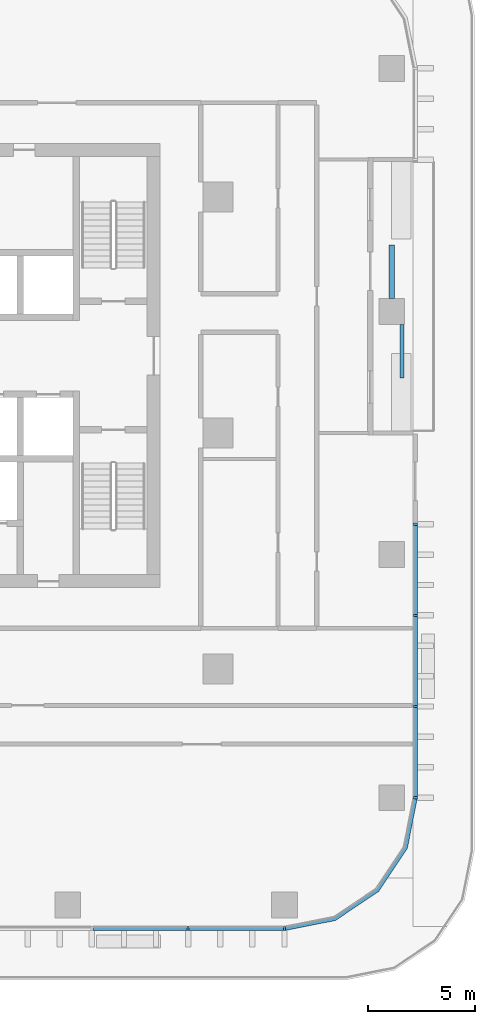
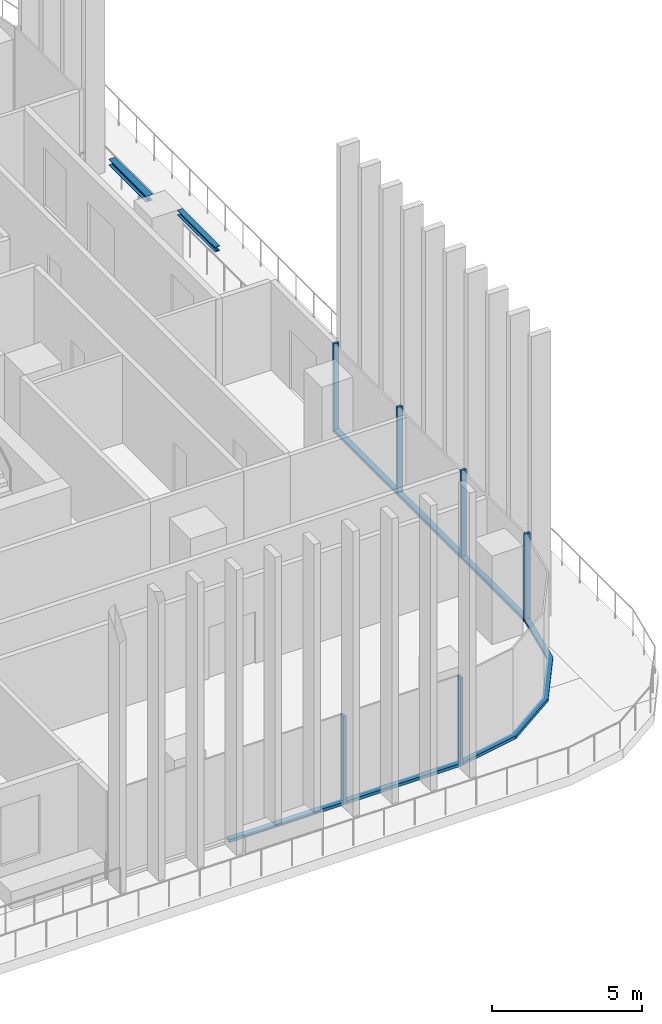
# One storey, part 3 of 16: 12 members, 2 beams, 3 elements without a shape of their own.
"""IFC4 building model written with IfcOpenShell, lengths in metres."""

from ifc_helpers import new_model, si_unit, direction, frame, origin, origin_2d, place, context, subcontext, project, spatial, polyline, rectangle, i_section, outline, extrude, material, material_profile, profile_set, type_object, element, aggregate, save


model = new_model("IFC4")

# Units and contexts
model_context = context("Model", 3, precision=1e-05, world=origin(), true_north=direction((0.0, 1.0)))
body_context = subcontext(model_context, "Body", "Model", "MODEL_VIEW")
ifc_project = project(units=[si_unit("LENGTHUNIT", "METRE"), si_unit("AREAUNIT", "SQUARE_METRE"), si_unit("VOLUMEUNIT", "CUBIC_METRE"), si_unit("PLANEANGLEUNIT", "RADIAN"), si_unit("MASSUNIT", "GRAM", prefix="KILO")], contexts=[model_context])

# Site, building, storey
site_placement = place(None, origin())
site = spatial("IfcSite", under=ifc_project, at=site_placement, CompositionType="ELEMENT")
building_placement = place(site_placement, origin())
building = spatial("IfcBuilding", under=site, at=building_placement, Name="Mopane Tessera Tower", CompositionType="ELEMENT")
storey_placement = place(building_placement, frame((0.0, 0.0, 157.0)))
storey = spatial("IfcBuildingStorey", under=building, at=storey_placement, Name="L31", CompositionType="ELEMENT", Elevation=157.0)

# Curtain wall, members
ifc_material_1 = material(Name="Aluminium frame", Category="aluminium")
curtain_wall_type = type_object("IfcCurtainWallType", Name="Unitised curtain wall", PredefinedType="NOTDEFINED", material=ifc_material_1)
curtain_wall_1_placement = place(storey_placement, origin())
curtain_wall_1 = element("IfcCurtainWall", 1, at=curtain_wall_1_placement, inside=storey, type_object=curtain_wall_type, Name="e:cw:L31:S:6", PredefinedType="NOTDEFINED")
ifc_material_2 = material(Name="Aluminium frame", Category="aluminium")
ifc_material_profile_1 = material_profile(ifc_material_2, rectangle(XDim=0.10009765625, YDim=0.199951171875, at=origin_2d()))
ifc_profile_set_1 = profile_set([ifc_material_profile_1], Name="Aluminium frame")
member_type_1 = type_object("IfcMemberType", Name="Aluminium mullion 100 x 200", PredefinedType="MULLION", material=ifc_profile_set_1)
member_1_placement = place(storey_placement, frame((15.711181640625, -23.10009765625, 0.0), z_axis=(0.0, 0.0, 1.0), x_axis=(1.0, 0.0, 0.0)))
member_1 = element("IfcMember", 2, at=member_1_placement, type_object=member_type_1, Name="e:cw:L31:S:6:mu8", PredefinedType="MULLION", context=body_context, shape_type="SweptSolid", body=[
    extrude(rectangle(XDim=0.10009765625, YDim=0.199951171875, at=origin_2d()), origin(), (0.0, 0.0, 1.0), 3.60009765625),
])
member_2_placement = place(storey_placement, frame((20.199951171875, -23.10009765625, 0.0), z_axis=(0.0, 0.0, 1.0), x_axis=(1.0, 0.0, 0.0)))
member_2 = element("IfcMember", 3, at=member_2_placement, type_object=member_type_1, Name="e:cw:L31:S:6:mu9", PredefinedType="MULLION", context=body_context, shape_type="SweptSolid", body=[
    extrude(rectangle(XDim=0.10009765625, YDim=0.199951171875, at=origin_2d()), origin(), (0.0, 0.0, 1.0), 3.60009765625),
])

curtain_wall_2_placement = place(storey_placement, origin())
curtain_wall_2 = element("IfcCurtainWall", 4, at=curtain_wall_2_placement, inside=storey, type_object=curtain_wall_type, Name="e:cw:L31:E:0", PredefinedType="NOTDEFINED")
member_3_placement = place(storey_placement, frame((26.300048828125, -17.0, 0.0), z_axis=(0.0, 0.0, 1.0), x_axis=(0.0, 1.0, 0.0)))
member_3 = element("IfcMember", 5, at=member_3_placement, type_object=member_type_1, Name="e:cw:L31:E:0:mu0", PredefinedType="MULLION", context=body_context, shape_type="SweptSolid", body=[
    extrude(rectangle(XDim=0.10009765625, YDim=0.199951171875, at=origin_2d()), origin(), (0.0, 0.0, 1.0), 3.60009765625),
])
member_4_placement = place(storey_placement, frame((26.300048828125, -12.75, 0.0), z_axis=(0.0, 0.0, 1.0), x_axis=(0.0, 1.0, 0.0)))
member_4 = element("IfcMember", 6, at=member_4_placement, type_object=member_type_1, Name="e:cw:L31:E:0:mu1", PredefinedType="MULLION", context=body_context, shape_type="SweptSolid", body=[
    extrude(rectangle(XDim=0.10009765625, YDim=0.199951171875, at=origin_2d()), origin(), (0.0, 0.0, 1.0), 3.60009765625),
])
member_5_placement = place(storey_placement, frame((26.300048828125, -8.5, 0.0), z_axis=(0.0, 0.0, 1.0), x_axis=(0.0, 1.0, 0.0)))
member_5 = element("IfcMember", 7, at=member_5_placement, type_object=member_type_1, Name="e:cw:L31:E:0:mu2", PredefinedType="MULLION", context=body_context, shape_type="SweptSolid", body=[
    extrude(rectangle(XDim=0.10009765625, YDim=0.199951171875, at=origin_2d()), origin(), (0.0, 0.0, 1.0), 3.60009765625),
])
member_6_placement = place(storey_placement, frame((26.300048828125, -4.25, 0.0), z_axis=(0.0, 0.0, 1.0), x_axis=(0.0, 1.0, 0.0)))
member_6 = element("IfcMember", 8, at=member_6_placement, type_object=member_type_1, Name="e:cw:L31:E:0:mu3", PredefinedType="MULLION", context=body_context, shape_type="SweptSolid", body=[
    extrude(rectangle(XDim=0.10009765625, YDim=0.199951171875, at=origin_2d()), origin(), (0.0, 0.0, 1.0), 3.60009765625),
])

# Member
ifc_material_3 = material(Name="Aluminium frame", Category="aluminium")
ifc_material_profile_2 = material_profile(ifc_material_3, rectangle(XDim=0.199951171875, YDim=0.1201171875, at=origin_2d()))
ifc_profile_set_2 = profile_set([ifc_material_profile_2], Name="Aluminium frame")
member_type_2 = type_object("IfcMemberType", Name="Aluminium transom 200 x 120", PredefinedType="USERDEFINED", material=ifc_profile_set_2)
member_7_placement = place(storey_placement, frame((11.272216796875, -23.10009765625, 0.06005859375), z_axis=(1.0, 0.0, 0.0), x_axis=(0.0, 1.0, 0.0)))
member_7 = element("IfcMember", 9, at=member_7_placement, type_object=member_type_2, Name="e:cw:L31:S:6:tr7", ObjectType="TRANSOM", PredefinedType="USERDEFINED", context=body_context, shape_type="SweptSolid", body=[
    extrude(rectangle(XDim=0.199951171875, YDim=0.1201171875, at=origin_2d()), origin(), (0.0, 0.0, 1.0), 4.388916015625),
])

member_8_placement = place(storey_placement, frame((15.76123046875, -23.10009765625, 0.06005859375), z_axis=(1.0, 0.0, 0.0), x_axis=(0.0, 1.0, 0.0)))
member_8 = element("IfcMember", 10, at=member_8_placement, type_object=member_type_2, Name="e:cw:L31:S:6:tr8", ObjectType="TRANSOM", PredefinedType="USERDEFINED", context=body_context, shape_type="SweptSolid", body=[
    extrude(rectangle(XDim=0.199951171875, YDim=0.1201171875, at=origin_2d()), origin(), (0.0, 0.0, 1.0), 4.388671875),
])

aggregate(curtain_wall_1, [member_1, member_2, member_7, member_8])

# Curtain wall, member
curtain_wall_3_placement = place(storey_placement, origin())
curtain_wall_3 = element("IfcCurtainWall", 11, at=curtain_wall_3_placement, inside=storey, type_object=curtain_wall_type, Name="e:cw:L31:CS", PredefinedType="NOTDEFINED")
member_9_placement = place(storey_placement, origin())
member_9 = element("IfcMember", 12, at=member_9_placement, type_object=member_type_2, Name="e:cw:L31:CS:tr", ObjectType="TRANSOM", PredefinedType="USERDEFINED", context=body_context, shape_type="SweptSolid", body=[
    extrude(outline(polyline([(20.199951171875, -23.0), (22.49609375, -22.543212890625), (24.442626953125, -21.24267578125), (25.7431640625, -19.296142578125), (26.199951171875, -17.0), (26.39990234375, -17.0), (25.927978515625, -19.37255859375), (24.583984375, -21.384033203125), (22.57275390625, -22.72802734375), (20.199951171875, -23.199951171875), (20.199951171875, -23.0)])), origin(), (0.0, 0.0, 1.0), 0.1201171875),
])
aggregate(curtain_wall_3, [member_9])

# Member
member_10_placement = place(storey_placement, frame((26.300048828125, -16.949951171875, 0.06005859375), z_axis=(0.0, 1.0, 0.0), x_axis=(-1.0, 0.0, 0.0)))
member_10 = element("IfcMember", 13, at=member_10_placement, type_object=member_type_2, Name="e:cw:L31:E:0:tr0", ObjectType="TRANSOM", PredefinedType="USERDEFINED", context=body_context, shape_type="SweptSolid", body=[
    extrude(rectangle(XDim=0.199951171875, YDim=0.1201171875, at=origin_2d()), origin(), (0.0, 0.0, 1.0), 4.14990234375),
])

member_11_placement = place(storey_placement, frame((26.300048828125, -12.699951171875, 0.06005859375), z_axis=(0.0, 1.0, 0.0), x_axis=(-1.0, 0.0, 0.0)))
member_11 = element("IfcMember", 14, at=member_11_placement, type_object=member_type_2, Name="e:cw:L31:E:0:tr1", ObjectType="TRANSOM", PredefinedType="USERDEFINED", context=body_context, shape_type="SweptSolid", body=[
    extrude(rectangle(XDim=0.199951171875, YDim=0.1201171875, at=origin_2d()), origin(), (0.0, 0.0, 1.0), 4.14990234375),
])

member_12_placement = place(storey_placement, frame((26.300048828125, -8.449951171875, 0.06005859375), z_axis=(0.0, 1.0, 0.0), x_axis=(-1.0, 0.0, 0.0)))
member_12 = element("IfcMember", 15, at=member_12_placement, type_object=member_type_2, Name="e:cw:L31:E:0:tr2", ObjectType="TRANSOM", PredefinedType="USERDEFINED", context=body_context, shape_type="SweptSolid", body=[
    extrude(rectangle(XDim=0.199951171875, YDim=0.1201171875, at=origin_2d()), origin(), (0.0, 0.0, 1.0), 4.14990234375),
])

aggregate(curtain_wall_2, [member_3, member_4, member_5, member_6, member_10, member_11, member_12])

# Beams
ifc_material_4 = material(Name="Structural steel S460", Category="steel")
ifc_material_profile_3 = material_profile(ifc_material_4, i_section(OverallWidth=0.239990234375, OverallDepth=0.239990234375, WebThickness=0.010009765625, FlangeThickness=0.01708984375, FilletRadius=0.02099609375, at=origin_2d()))
ifc_profile_set_3 = profile_set([ifc_material_profile_3], Name="Structural steel S460")
beam_type_1 = type_object("IfcBeamType", Name="Terrace spandrel beam HE 240 B", PredefinedType="SPANDREL", material=ifc_profile_set_3)
beam_1_placement = place(storey_placement, frame((25.199951171875, 6.269775390625, 3.47998046875), z_axis=(0.0, 1.0, 0.0), x_axis=(-1.0, 0.0, 0.0)))
element("IfcBeam", 16, at=beam_1_placement, inside=storey, type_object=beam_type_1, Name="Terrace spandrel beam N3 L32", PredefinedType="SPANDREL", context=body_context, shape_type="SweptSolid", body=[
    extrude(i_section(OverallWidth=0.239990234375, OverallDepth=0.239990234375, WebThickness=0.010009765625, FlangeThickness=0.01708984375, FilletRadius=0.02099609375, at=origin_2d()), origin(), (0.0, 0.0, 1.0), 2.5),
])
ifc_material_5 = material(Name="Structural steel S460", Category="steel")
ifc_material_profile_4 = material_profile(ifc_material_5, i_section(OverallWidth=0.199951171875, OverallDepth=0.199951171875, WebThickness=0.009033203125, FlangeThickness=0.014892578125, FilletRadius=0.01806640625, at=origin_2d()))
ifc_profile_set_4 = profile_set([ifc_material_profile_4], Name="Structural steel S460")
beam_type_2 = type_object("IfcBeamType", Name="Terrace trimmer beam HE 200 B", PredefinedType="BEAM", material=ifc_profile_set_4)
beam_2_placement = place(storey_placement, frame((25.679931640625, 5.063720703125, 3.5), z_axis=(0.0, -1.0, 0.0), x_axis=(1.0, 0.0, 0.0)))
element("IfcBeam", 17, at=beam_2_placement, inside=storey, type_object=beam_type_2, Name="Terrace trimmer beam N3 L32", PredefinedType="BEAM", context=body_context, shape_type="SweptSolid", body=[
    extrude(i_section(OverallWidth=0.199951171875, OverallDepth=0.199951171875, WebThickness=0.009033203125, FlangeThickness=0.014892578125, FilletRadius=0.01806640625, at=origin_2d()), origin(), (0.0, 0.0, 1.0), 2.5),
])

save(model, "model.ifc")
